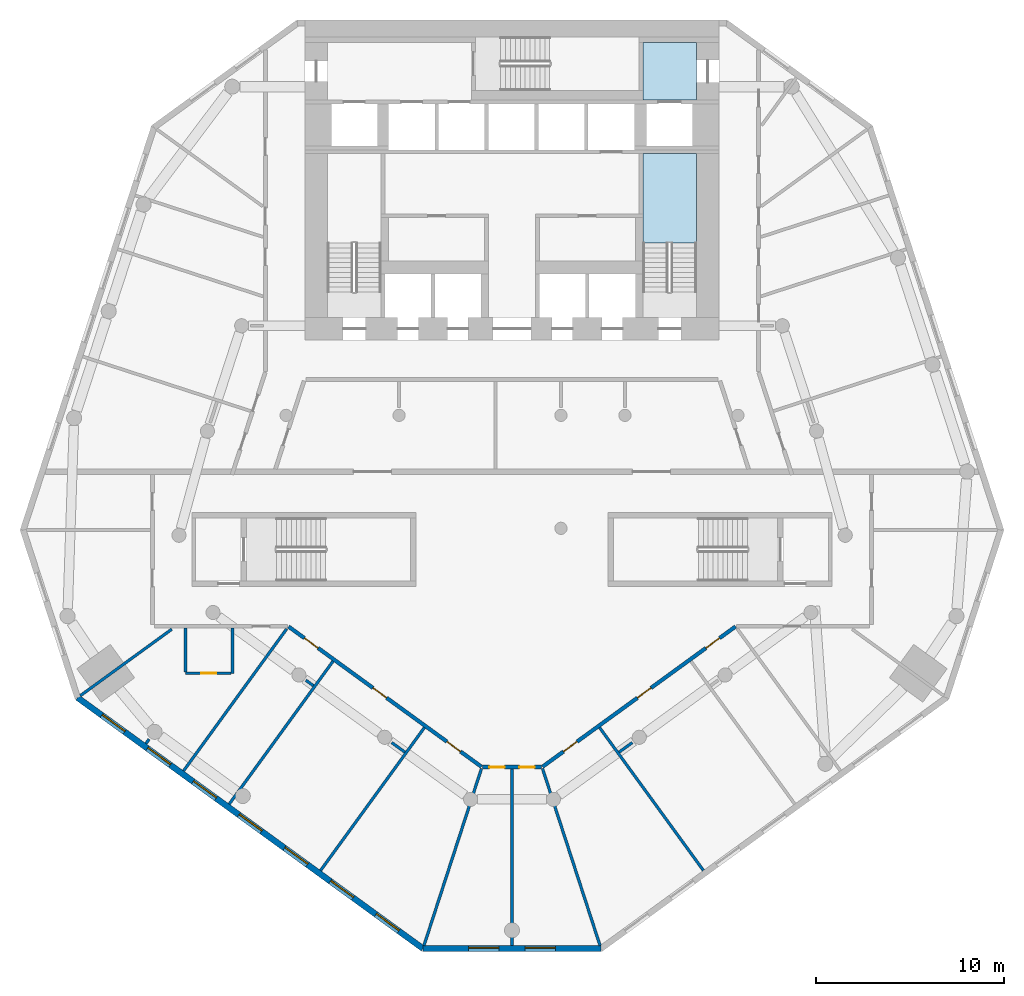
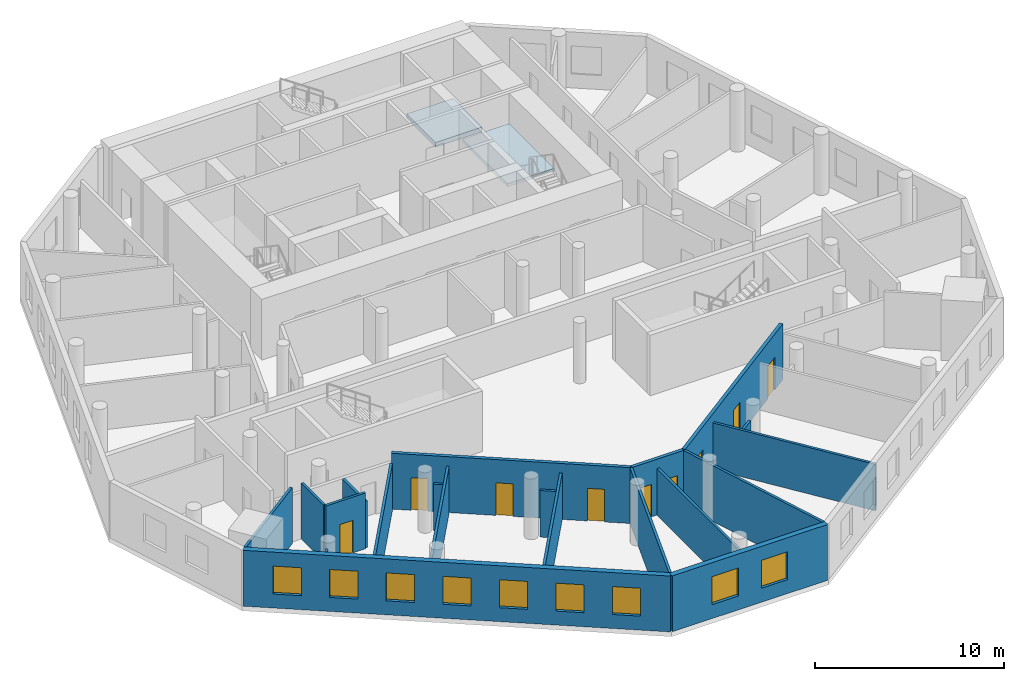
# One storey, part 2 of 9: 20 walls, 9 doors, 9 windows, 2 slabs, 18 openings, 1 element without a shape of its own.
"""IFC4 building model written with IfcOpenShell, lengths in metres."""

from ifc_helpers import new_model, si_unit, direction, frame, frame_2d, origin, place, context, subcontext, project, spatial, polyline, rectangle, outline, extrude, material, layer, layer_set, type_object, element, fill, aggregate, save


model = new_model("IFC4")

# Units and contexts
model_context = context("Model", 3, precision=1e-05, world=origin(), true_north=direction((0.0, 1.0)))
body_context = subcontext(model_context, "Body", "Model", "MODEL_VIEW")
ifc_project = project(units=[si_unit("LENGTHUNIT", "METRE"), si_unit("AREAUNIT", "SQUARE_METRE"), si_unit("VOLUMEUNIT", "CUBIC_METRE"), si_unit("PLANEANGLEUNIT", "RADIAN"), si_unit("MASSUNIT", "GRAM", prefix="KILO")], contexts=[model_context])

# Site, building, storey
site_placement = place(None, origin())
site = spatial("IfcSite", under=ifc_project, at=site_placement, CompositionType="ELEMENT")
building_placement = place(site_placement, origin())
building = spatial("IfcBuilding", under=site, at=building_placement, Name="White Candle Pilgrim Tower", CompositionType="ELEMENT")
storey_placement = place(building_placement, frame((0.0, 0.0, 74.10009765625)))
storey = spatial("IfcBuildingStorey", under=building, at=storey_placement, Name="L15", CompositionType="ELEMENT", Elevation=74.10009765625)

# Slab
ifc_material_1 = material(Name="Concrete C40/50", Category="concrete")
ifc_layer_1 = layer(ifc_material_1, 0.300048828125)
ifc_layer_set_1 = layer_set([ifc_layer_1], Name="Core floor slab 300 mm Concrete C40/50")
slab_type_1 = type_object("IfcSlabType", Name="Core floor slab 300 mm Concrete C40/50", PredefinedType="FLOOR", material=ifc_layer_set_1)
slab_1_placement = place(storey_placement, frame((0.0, 0.0, -0.300048828125)))
element("IfcSlab", 1, at=slab_1_placement, inside=storey, type_object=slab_type_1, Name="CF-L15-06", PredefinedType="FLOOR", context=body_context, shape_type="SweptSolid", body=[
    extrude(outline(polyline([(79.800048828125, 86.800048828125), (79.800048828125, 83.75), (76.949951171875, 83.75), (76.949951171875, 84.25), (76.949951171875, 86.800048828125), (79.800048828125, 86.800048828125)])), origin(), (0.0, 0.0, 1.0), 0.300048828125),
])

# Stair, slab
stair_type = type_object("IfcStairType", Name="Exit stair 2 flight width 1350 mm", PredefinedType="HALF_TURN_STAIR", material=ifc_material_1)
stair_placement = place(storey_placement, origin())
stair = element("IfcStair", 2, at=stair_placement, inside=storey, type_object=stair_type, Name="L15 stair 2", PredefinedType="NOTDEFINED")
ifc_layer_2 = layer(ifc_material_1, 0.199951171875)
ifc_layer_set_2 = layer_set([ifc_layer_2], Name="Stair landing Concrete C40/50")
slab_type_2 = type_object("IfcSlabType", Name="Stair landing Concrete C40/50", PredefinedType="LANDING", material=ifc_layer_set_2)
slab_2_placement = place(storey_placement, frame((0.0, 0.0, 1.75)))
slab_2 = element("IfcSlab", 3, at=slab_2_placement, type_object=slab_type_2, Name="ST2 landing 1", PredefinedType="LANDING", context=body_context, shape_type="SweptSolid", body=[
    extrude(outline(polyline([(79.802001953125, 76.14794921875), (76.947998046875, 76.14794921875), (76.947998046875, 80.902099609375), (79.802001953125, 80.902099609375), (79.802001953125, 76.14794921875)])), origin(), (0.0, 0.0, 1.0), 0.199951171875),
])
aggregate(stair, [slab_2])

# Wall, openings, doors
ifc_material_2 = material(Name="Gypsum board on steel studs", Category="steel")
ifc_layer_3 = layer(ifc_material_2, 0.199951171875)
ifc_layer_set_3 = layer_set([ifc_layer_3], Name="Corridor wall 200 mm EI 45")
wall_type_1 = type_object("IfcWallType", Name="Corridor wall 200 mm EI 45", PredefinedType="PARTITIONING", material=ifc_layer_set_3)
wall_1_placement = place(storey_placement, frame((81.87060546875, 55.781005859375, 0.0), z_axis=(0.0, 0.0, 1.0), x_axis=(-0.80902019439, -0.587780847825, 0.0)))
wall_1 = element("IfcWall", 4, at=wall_1_placement, inside=storey, type_object=wall_type_1, Name="WL-L15-P008", PredefinedType="PARTITIONING", context=body_context, shape_type="SweptSolid", body=[
    extrude(rectangle(XDim=12.667236328125, YDim=0.199951171875, at=frame_2d((6.33349609375, 0.0))), origin(), (0.0, 0.0, 1.0), 3.599853515625),
])
opening_1_placement = place(wall_1_placement, frame((10.396484375, 0.0, 0.0)))
opening_1 = element("IfcOpeningElement", 5, at=opening_1_placement, cuts=wall_1, Name="Opening T04-109", PredefinedType="OPENING", context=body_context, shape_type="SweptSolid", body=[
    extrude(rectangle(XDim=0.89990234375, YDim=2.10009765625, at=frame_2d((0.449951171875, 1.050048828125))), frame((0.0, 0.10986328125, 0.0), z_axis=(0.0, -1.0, 0.0), x_axis=(1.0, 0.0, 0.0)), (0.0, 0.0, 1.0), 0.219970703125),
])
opening_2_placement = place(wall_1_placement, frame((5.543701171875, 0.0, 0.0)))
opening_2 = element("IfcOpeningElement", 6, at=opening_2_placement, cuts=wall_1, Name="Opening T04-110", PredefinedType="OPENING", context=body_context, shape_type="SweptSolid", body=[
    extrude(rectangle(XDim=0.89990234375, YDim=2.10009765625, at=frame_2d((0.449951171875, 1.050048828125))), frame((0.0, 0.10986328125, 0.0), z_axis=(0.0, -1.0, 0.0), x_axis=(1.0, 0.0, 0.0)), (0.0, 0.0, 1.0), 0.219970703125),
])
opening_3_placement = place(wall_1_placement, frame((1.043701171875, 0.0, 0.0)))
opening_3 = element("IfcOpeningElement", 7, at=opening_3_placement, cuts=wall_1, Name="Opening T04-111", PredefinedType="OPENING", context=body_context, shape_type="SweptSolid", body=[
    extrude(rectangle(XDim=0.89990234375, YDim=2.10009765625, at=frame_2d((0.449951171875, 1.050048828125))), frame((0.0, 0.10986328125, 0.0), z_axis=(0.0, -1.0, 0.0), x_axis=(1.0, 0.0, 0.0)), (0.0, 0.0, 1.0), 0.219970703125),
])
ifc_material_3 = material(Name="Steel door leaf", Category="steel")
door_type_1 = type_object("IfcDoorType", Name="Fire door 900 x 2100 EI 30", OperationType="NOTDEFINED", PredefinedType="DOOR", material=ifc_material_3)
door_1_placement = place(opening_1_placement, origin())
door_1 = element("IfcDoor", 8, at=door_1_placement, inside=storey, type_object=door_type_1, Name="Door T04-109", OperationType="SINGLE_SWING_LEFT", OverallHeight=2.10009765625, OverallWidth=0.89990234375, PredefinedType="DOOR", context=body_context, shape_type="SweptSolid", body=[
    extrude(rectangle(XDim=0.89990234375, YDim=2.10009765625, at=frame_2d((0.449951171875, 1.050048828125))), frame((0.0, 0.02490234375, 0.0), z_axis=(0.0, -1.0, 0.0), x_axis=(1.0, 0.0, 0.0)), (0.0, 0.0, 1.0), 0.050048828125),
])
fill(opening_1, door_1)
door_2_placement = place(opening_2_placement, origin())
door_2 = element("IfcDoor", 9, at=door_2_placement, inside=storey, type_object=door_type_1, Name="Door T04-110", OperationType="SINGLE_SWING_RIGHT", OverallHeight=2.10009765625, OverallWidth=0.89990234375, PredefinedType="DOOR", context=body_context, shape_type="SweptSolid", body=[
    extrude(rectangle(XDim=0.89990234375, YDim=2.10009765625, at=frame_2d((0.449951171875, 1.050048828125))), frame((0.0, 0.02490234375, 0.0), z_axis=(0.0, -1.0, 0.0), x_axis=(1.0, 0.0, 0.0)), (0.0, 0.0, 1.0), 0.050048828125),
])
fill(opening_2, door_2)
door_3_placement = place(opening_3_placement, origin())
door_3 = element("IfcDoor", 10, at=door_3_placement, inside=storey, type_object=door_type_1, Name="Door T04-111", OperationType="SINGLE_SWING_LEFT", OverallHeight=2.10009765625, OverallWidth=0.89990234375, PredefinedType="DOOR", context=body_context, shape_type="SweptSolid", body=[
    extrude(rectangle(XDim=0.89990234375, YDim=2.10009765625, at=frame_2d((0.449951171875, 1.050048828125))), frame((0.0, 0.02490234375, 0.0), z_axis=(0.0, -1.0, 0.0), x_axis=(1.0, 0.0, 0.0)), (0.0, 0.0, 1.0), 0.050048828125),
])
fill(opening_3, door_3)

wall_2_placement = place(storey_placement, frame((71.563720703125, 48.31640625, 0.0), z_axis=(0.0, 0.0, 1.0), x_axis=(-1.0, 0.0, 0.0)))
wall_2 = element("IfcWall", 11, at=wall_2_placement, inside=storey, type_object=wall_type_1, Name="WL-L15-P009", PredefinedType="PARTITIONING", context=body_context, shape_type="SweptSolid", body=[
    extrude(rectangle(XDim=3.12744140625, YDim=0.199951171875, at=frame_2d((1.563720703125, 0.0))), origin(), (0.0, 0.0, 1.0), 3.599853515625),
])
opening_4_placement = place(wall_2_placement, frame((1.9619140625, 0.0, 0.0)))
opening_4 = element("IfcOpeningElement", 12, at=opening_4_placement, cuts=wall_2, Name="Opening T04-107", PredefinedType="OPENING", context=body_context, shape_type="SweptSolid", body=[
    extrude(rectangle(XDim=0.800048828125, YDim=2.10009765625, at=frame_2d((0.39990234375, 1.050048828125))), frame((0.0, 0.10986328125, 0.0), z_axis=(0.0, -1.0, 0.0), x_axis=(1.0, 0.0, 0.0)), (0.0, 0.0, 1.0), 0.219970703125),
])
opening_5_placement = place(wall_2_placement, frame((0.365478515625, 0.0, 0.0)))
opening_5 = element("IfcOpeningElement", 13, at=opening_5_placement, cuts=wall_2, Name="Opening T04-108", PredefinedType="OPENING", context=body_context, shape_type="SweptSolid", body=[
    extrude(rectangle(XDim=0.800048828125, YDim=2.10009765625, at=frame_2d((0.39990234375, 1.050048828125))), frame((0.0, 0.10986328125, 0.0), z_axis=(0.0, -1.0, 0.0), x_axis=(1.0, 0.0, 0.0)), (0.0, 0.0, 1.0), 0.219970703125),
])
door_type_2 = type_object("IfcDoorType", Name="Fire door 800 x 2100 EI 30", OperationType="NOTDEFINED", PredefinedType="DOOR", material=ifc_material_3)
door_4_placement = place(opening_4_placement, origin())
door_4 = element("IfcDoor", 14, at=door_4_placement, inside=storey, type_object=door_type_2, Name="Door T04-107", OperationType="SINGLE_SWING_LEFT", OverallHeight=2.10009765625, OverallWidth=0.800048828125, PredefinedType="DOOR", context=body_context, shape_type="SweptSolid", body=[
    extrude(rectangle(XDim=0.800048828125, YDim=2.10009765625, at=frame_2d((0.39990234375, 1.050048828125))), frame((0.0, 0.02490234375, 0.0), z_axis=(0.0, -1.0, 0.0), x_axis=(1.0, 0.0, 0.0)), (0.0, 0.0, 1.0), 0.050048828125),
])
fill(opening_4, door_4)
door_5_placement = place(opening_5_placement, origin())
door_5 = element("IfcDoor", 15, at=door_5_placement, inside=storey, type_object=door_type_2, Name="Door T04-108", OperationType="SINGLE_SWING_RIGHT", OverallHeight=2.10009765625, OverallWidth=0.800048828125, PredefinedType="DOOR", context=body_context, shape_type="SweptSolid", body=[
    extrude(rectangle(XDim=0.800048828125, YDim=2.10009765625, at=frame_2d((0.39990234375, 1.050048828125))), frame((0.0, 0.02490234375, 0.0), z_axis=(0.0, -1.0, 0.0), x_axis=(1.0, 0.0, 0.0)), (0.0, 0.0, 1.0), 0.050048828125),
])
fill(opening_5, door_5)

wall_3_placement = place(storey_placement, frame((68.37744140625, 48.33544921875, 0.0), z_axis=(0.0, 0.0, 1.0), x_axis=(-0.80902019439, 0.587780847825, 0.0)))
wall_3 = element("IfcWall", 16, at=wall_3_placement, inside=storey, type_object=wall_type_1, Name="WL-L15-P010", PredefinedType="PARTITIONING", context=body_context, shape_type="SweptSolid", body=[
    extrude(rectangle(XDim=12.667236328125, YDim=0.199951171875, at=frame_2d((6.33349609375, 0.0))), origin(), (0.0, 0.0, 1.0), 3.599853515625),
])
opening_6_placement = place(wall_3_placement, frame((10.723388671875, 0.0, 0.0)))
opening_6 = element("IfcOpeningElement", 17, at=opening_6_placement, cuts=wall_3, Name="Opening T04-104", PredefinedType="OPENING", context=body_context, shape_type="SweptSolid", body=[
    extrude(rectangle(XDim=0.89990234375, YDim=2.10009765625, at=frame_2d((0.449951171875, 1.050048828125))), frame((0.0, 0.10986328125, 0.0), z_axis=(0.0, -1.0, 0.0), x_axis=(1.0, 0.0, 0.0)), (0.0, 0.0, 1.0), 0.219970703125),
])
opening_7_placement = place(wall_3_placement, frame((6.223388671875, 0.0, 0.0)))
opening_7 = element("IfcOpeningElement", 18, at=opening_7_placement, cuts=wall_3, Name="Opening T04-105", PredefinedType="OPENING", context=body_context, shape_type="SweptSolid", body=[
    extrude(rectangle(XDim=0.89990234375, YDim=2.10009765625, at=frame_2d((0.449951171875, 1.050048828125))), frame((0.0, 0.10986328125, 0.0), z_axis=(0.0, -1.0, 0.0), x_axis=(1.0, 0.0, 0.0)), (0.0, 0.0, 1.0), 0.219970703125),
])
opening_8_placement = place(wall_3_placement, frame((1.37060546875, 0.0, 0.0)))
opening_8 = element("IfcOpeningElement", 19, at=opening_8_placement, cuts=wall_3, Name="Opening T04-106", PredefinedType="OPENING", context=body_context, shape_type="SweptSolid", body=[
    extrude(rectangle(XDim=0.89990234375, YDim=2.10009765625, at=frame_2d((0.449951171875, 1.050048828125))), frame((0.0, 0.10986328125, 0.0), z_axis=(0.0, -1.0, 0.0), x_axis=(1.0, 0.0, 0.0)), (0.0, 0.0, 1.0), 0.219970703125),
])
door_6_placement = place(opening_6_placement, origin())
door_6 = element("IfcDoor", 20, at=door_6_placement, inside=storey, type_object=door_type_1, Name="Door T04-104", OperationType="SINGLE_SWING_RIGHT", OverallHeight=2.10009765625, OverallWidth=0.89990234375, PredefinedType="DOOR", context=body_context, shape_type="SweptSolid", body=[
    extrude(rectangle(XDim=0.89990234375, YDim=2.10009765625, at=frame_2d((0.449951171875, 1.050048828125))), frame((0.0, 0.02490234375, 0.0), z_axis=(0.0, -1.0, 0.0), x_axis=(1.0, 0.0, 0.0)), (0.0, 0.0, 1.0), 0.050048828125),
])
fill(opening_6, door_6)
door_7_placement = place(opening_7_placement, origin())
door_7 = element("IfcDoor", 21, at=door_7_placement, inside=storey, type_object=door_type_1, Name="Door T04-105", OperationType="SINGLE_SWING_LEFT", OverallHeight=2.10009765625, OverallWidth=0.89990234375, PredefinedType="DOOR", context=body_context, shape_type="SweptSolid", body=[
    extrude(rectangle(XDim=0.89990234375, YDim=2.10009765625, at=frame_2d((0.449951171875, 1.050048828125))), frame((0.0, 0.02490234375, 0.0), z_axis=(0.0, -1.0, 0.0), x_axis=(1.0, 0.0, 0.0)), (0.0, 0.0, 1.0), 0.050048828125),
])
fill(opening_7, door_7)
door_8_placement = place(opening_8_placement, origin())
door_8 = element("IfcDoor", 22, at=door_8_placement, inside=storey, type_object=door_type_1, Name="Door T04-106", OperationType="SINGLE_SWING_RIGHT", OverallHeight=2.10009765625, OverallWidth=0.89990234375, PredefinedType="DOOR", context=body_context, shape_type="SweptSolid", body=[
    extrude(rectangle(XDim=0.89990234375, YDim=2.10009765625, at=frame_2d((0.449951171875, 1.050048828125))), frame((0.0, 0.02490234375, 0.0), z_axis=(0.0, -1.0, 0.0), x_axis=(1.0, 0.0, 0.0)), (0.0, 0.0, 1.0), 0.050048828125),
])
fill(opening_8, door_8)

# Wall, openings, windows
ifc_material_4 = material(Name="Precast concrete C40/50", Category="concrete")
ifc_layer_4 = layer(ifc_material_4, 0.320068359375)
ifc_layer_set_4 = layer_set([ifc_layer_4], Name="Facade wall EW1 precast concrete C40/50 pier wall with timber-lined reveals")
wall_type_2 = type_object("IfcWallType", Name="Facade wall EW1 precast concrete C40/50 pier wall with timber-lined reveals", PredefinedType="SOLIDWALL", material=ifc_layer_set_4)
wall_4_placement = place(storey_placement, frame((46.926025390625, 52.005126953125, 0.0), z_axis=(0.0, 0.0, 1.0), x_axis=(0.809014870626, -0.58778817537, 0.0)))
wall_4 = element("IfcWall", 23, at=wall_4_placement, inside=storey, type_object=wall_type_2, Name="Facade wall L15 SW", PredefinedType="SOLIDWALL", context=body_context, shape_type="SweptSolid", body=[
    extrude(rectangle(XDim=22.67626953125, YDim=0.320068359375, at=frame_2d((11.338134765625, 0.0))), origin(), (0.0, 0.0, 1.0), 3.599853515625),
])
opening_9_placement = place(wall_4_placement, frame((1.588134765625, 0.0, 0.89990234375)))
opening_9 = element("IfcOpeningElement", 24, at=opening_9_placement, cuts=wall_4, Name="Opening W1", PredefinedType="OPENING", context=body_context, shape_type="SweptSolid", body=[
    extrude(rectangle(XDim=1.5, YDim=1.800048828125, at=frame_2d((0.75, 0.89990234375))), frame((0.0, 0.169921875, 0.0), z_axis=(0.0, -1.0, 0.0), x_axis=(1.0, 0.0, 0.0)), (0.0, 0.0, 1.0), 0.340087890625),
])
opening_10_placement = place(wall_4_placement, frame((4.588134765625, 0.0, 0.89990234375)))
opening_10 = element("IfcOpeningElement", 25, at=opening_10_placement, cuts=wall_4, Name="Opening W1", PredefinedType="OPENING", context=body_context, shape_type="SweptSolid", body=[
    extrude(rectangle(XDim=1.5, YDim=1.800048828125, at=frame_2d((0.75, 0.89990234375))), frame((0.0, 0.169921875, 0.0), z_axis=(0.0, -1.0, 0.0), x_axis=(1.0, 0.0, 0.0)), (0.0, 0.0, 1.0), 0.340087890625),
])
opening_11_placement = place(wall_4_placement, frame((7.588134765625, 0.0, 0.89990234375)))
opening_11 = element("IfcOpeningElement", 26, at=opening_11_placement, cuts=wall_4, Name="Opening W1", PredefinedType="OPENING", context=body_context, shape_type="SweptSolid", body=[
    extrude(rectangle(XDim=1.5, YDim=1.800048828125, at=frame_2d((0.75, 0.89990234375))), frame((0.0, 0.169921875, 0.0), z_axis=(0.0, -1.0, 0.0), x_axis=(1.0, 0.0, 0.0)), (0.0, 0.0, 1.0), 0.340087890625),
])
opening_12_placement = place(wall_4_placement, frame((10.588134765625, 0.0, 0.89990234375)))
opening_12 = element("IfcOpeningElement", 27, at=opening_12_placement, cuts=wall_4, Name="Opening W1", PredefinedType="OPENING", context=body_context, shape_type="SweptSolid", body=[
    extrude(rectangle(XDim=1.5, YDim=1.800048828125, at=frame_2d((0.75, 0.89990234375))), frame((0.0, 0.169921875, 0.0), z_axis=(0.0, -1.0, 0.0), x_axis=(1.0, 0.0, 0.0)), (0.0, 0.0, 1.0), 0.340087890625),
])
opening_13_placement = place(wall_4_placement, frame((13.588134765625, 0.0, 0.89990234375)))
opening_13 = element("IfcOpeningElement", 28, at=opening_13_placement, cuts=wall_4, Name="Opening W1", PredefinedType="OPENING", context=body_context, shape_type="SweptSolid", body=[
    extrude(rectangle(XDim=1.5, YDim=1.800048828125, at=frame_2d((0.75, 0.89990234375))), frame((0.0, 0.169921875, 0.0), z_axis=(0.0, -1.0, 0.0), x_axis=(1.0, 0.0, 0.0)), (0.0, 0.0, 1.0), 0.340087890625),
])
opening_14_placement = place(wall_4_placement, frame((16.588134765625, 0.0, 0.89990234375)))
opening_14 = element("IfcOpeningElement", 29, at=opening_14_placement, cuts=wall_4, Name="Opening W1", PredefinedType="OPENING", context=body_context, shape_type="SweptSolid", body=[
    extrude(rectangle(XDim=1.5, YDim=1.800048828125, at=frame_2d((0.75, 0.89990234375))), frame((0.0, 0.169921875, 0.0), z_axis=(0.0, -1.0, 0.0), x_axis=(1.0, 0.0, 0.0)), (0.0, 0.0, 1.0), 0.340087890625),
])
opening_15_placement = place(wall_4_placement, frame((19.588134765625, 0.0, 0.89990234375)))
opening_15 = element("IfcOpeningElement", 30, at=opening_15_placement, cuts=wall_4, Name="Opening W1", PredefinedType="OPENING", context=body_context, shape_type="SweptSolid", body=[
    extrude(rectangle(XDim=1.5, YDim=1.800048828125, at=frame_2d((0.75, 0.89990234375))), frame((0.0, 0.169921875, 0.0), z_axis=(0.0, -1.0, 0.0), x_axis=(1.0, 0.0, 0.0)), (0.0, 0.0, 1.0), 0.340087890625),
])
ifc_material_5 = material(Name="Timber frame with triple glazing", Category="wood")
window_type_1 = type_object("IfcWindowType", Name="Window W1 1500x1800 timber frame triple glazing", PartitioningType="SINGLE_PANEL", PredefinedType="WINDOW", material=ifc_material_5)
window_1_placement = place(opening_9_placement, origin())
window_1 = element("IfcWindow", 31, at=window_1_placement, inside=storey, type_object=window_type_1, Name="Window W1 L15 SW 1", OverallHeight=1.800048828125, OverallWidth=1.5, PartitioningType="SINGLE_PANEL", PredefinedType="WINDOW", context=body_context, shape_type="SweptSolid", body=[
    extrude(rectangle(XDim=1.5, YDim=1.800048828125, at=frame_2d((0.75, 0.89990234375))), frame((0.0, 0.070068359375, 0.0), z_axis=(0.0, -1.0, 0.0), x_axis=(1.0, 0.0, 0.0)), (0.0, 0.0, 1.0), 0.06005859375),
])
fill(opening_9, window_1)
window_2_placement = place(opening_10_placement, origin())
window_2 = element("IfcWindow", 32, at=window_2_placement, inside=storey, type_object=window_type_1, Name="Window W1 L15 SW 2", OverallHeight=1.800048828125, OverallWidth=1.5, PartitioningType="SINGLE_PANEL", PredefinedType="WINDOW", context=body_context, shape_type="SweptSolid", body=[
    extrude(rectangle(XDim=1.5, YDim=1.800048828125, at=frame_2d((0.75, 0.89990234375))), frame((0.0, 0.070068359375, 0.0), z_axis=(0.0, -1.0, 0.0), x_axis=(1.0, 0.0, 0.0)), (0.0, 0.0, 1.0), 0.06005859375),
])
fill(opening_10, window_2)
window_3_placement = place(opening_11_placement, origin())
window_3 = element("IfcWindow", 33, at=window_3_placement, inside=storey, type_object=window_type_1, Name="Window W1 L15 SW 3", OverallHeight=1.800048828125, OverallWidth=1.5, PartitioningType="SINGLE_PANEL", PredefinedType="WINDOW", context=body_context, shape_type="SweptSolid", body=[
    extrude(rectangle(XDim=1.5, YDim=1.800048828125, at=frame_2d((0.75, 0.89990234375))), frame((0.0, 0.070068359375, 0.0), z_axis=(0.0, -1.0, 0.0), x_axis=(1.0, 0.0, 0.0)), (0.0, 0.0, 1.0), 0.06005859375),
])
fill(opening_11, window_3)
window_4_placement = place(opening_12_placement, origin())
window_4 = element("IfcWindow", 34, at=window_4_placement, inside=storey, type_object=window_type_1, Name="Window W1 L15 SW 4", OverallHeight=1.800048828125, OverallWidth=1.5, PartitioningType="SINGLE_PANEL", PredefinedType="WINDOW", context=body_context, shape_type="SweptSolid", body=[
    extrude(rectangle(XDim=1.5, YDim=1.800048828125, at=frame_2d((0.75, 0.89990234375))), frame((0.0, 0.070068359375, 0.0), z_axis=(0.0, -1.0, 0.0), x_axis=(1.0, 0.0, 0.0)), (0.0, 0.0, 1.0), 0.06005859375),
])
fill(opening_12, window_4)
window_5_placement = place(opening_13_placement, origin())
window_5 = element("IfcWindow", 35, at=window_5_placement, inside=storey, type_object=window_type_1, Name="Window W1 L15 SW 5", OverallHeight=1.800048828125, OverallWidth=1.5, PartitioningType="SINGLE_PANEL", PredefinedType="WINDOW", context=body_context, shape_type="SweptSolid", body=[
    extrude(rectangle(XDim=1.5, YDim=1.800048828125, at=frame_2d((0.75, 0.89990234375))), frame((0.0, 0.070068359375, 0.0), z_axis=(0.0, -1.0, 0.0), x_axis=(1.0, 0.0, 0.0)), (0.0, 0.0, 1.0), 0.06005859375),
])
fill(opening_13, window_5)
window_6_placement = place(opening_14_placement, origin())
window_6 = element("IfcWindow", 36, at=window_6_placement, inside=storey, type_object=window_type_1, Name="Window W1 L15 SW 6", OverallHeight=1.800048828125, OverallWidth=1.5, PartitioningType="SINGLE_PANEL", PredefinedType="WINDOW", context=body_context, shape_type="SweptSolid", body=[
    extrude(rectangle(XDim=1.5, YDim=1.800048828125, at=frame_2d((0.75, 0.89990234375))), frame((0.0, 0.070068359375, 0.0), z_axis=(0.0, -1.0, 0.0), x_axis=(1.0, 0.0, 0.0)), (0.0, 0.0, 1.0), 0.06005859375),
])
fill(opening_14, window_6)
window_7_placement = place(opening_15_placement, origin())
window_7 = element("IfcWindow", 37, at=window_7_placement, inside=storey, type_object=window_type_1, Name="Window W1 L15 SW 7", OverallHeight=1.800048828125, OverallWidth=1.5, PartitioningType="SINGLE_PANEL", PredefinedType="WINDOW", context=body_context, shape_type="SweptSolid", body=[
    extrude(rectangle(XDim=1.5, YDim=1.800048828125, at=frame_2d((0.75, 0.89990234375))), frame((0.0, 0.070068359375, 0.0), z_axis=(0.0, -1.0, 0.0), x_axis=(1.0, 0.0, 0.0)), (0.0, 0.0, 1.0), 0.06005859375),
])
fill(opening_15, window_7)

wall_5_placement = place(storey_placement, frame((65.271484375, 38.67626953125, 0.0), z_axis=(0.0, 0.0, 1.0), x_axis=(1.0, 0.0, 0.0)))
wall_5 = element("IfcWall", 38, at=wall_5_placement, inside=storey, type_object=wall_type_2, Name="Facade wall L15 S chamfer", PredefinedType="SOLIDWALL", context=body_context, shape_type="SweptSolid", body=[
    extrude(rectangle(XDim=9.45703125, YDim=0.320068359375, at=frame_2d((4.728515625, 0.0))), origin(), (0.0, 0.0, 1.0), 3.599853515625),
])
opening_16_placement = place(wall_5_placement, frame((2.4287109375, 0.0, 0.89990234375)))
opening_16 = element("IfcOpeningElement", 39, at=opening_16_placement, cuts=wall_5, Name="Opening W2", PredefinedType="OPENING", context=body_context, shape_type="SweptSolid", body=[
    extrude(rectangle(XDim=1.60009765625, YDim=1.800048828125, at=frame_2d((0.800048828125, 0.89990234375))), frame((0.0, 0.169921875, 0.0), z_axis=(0.0, -1.0, 0.0), x_axis=(1.0, 0.0, 0.0)), (0.0, 0.0, 1.0), 0.340087890625),
])
opening_17_placement = place(wall_5_placement, frame((5.4287109375, 0.0, 0.89990234375)))
opening_17 = element("IfcOpeningElement", 40, at=opening_17_placement, cuts=wall_5, Name="Opening W2", PredefinedType="OPENING", context=body_context, shape_type="SweptSolid", body=[
    extrude(rectangle(XDim=1.60009765625, YDim=1.800048828125, at=frame_2d((0.800048828125, 0.89990234375))), frame((0.0, 0.169921875, 0.0), z_axis=(0.0, -1.0, 0.0), x_axis=(1.0, 0.0, 0.0)), (0.0, 0.0, 1.0), 0.340087890625),
])
window_type_2 = type_object("IfcWindowType", Name="Window W2 1600x1800 timber frame triple glazing", PartitioningType="SINGLE_PANEL", PredefinedType="WINDOW", material=ifc_material_5)
window_8_placement = place(opening_16_placement, origin())
window_8 = element("IfcWindow", 41, at=window_8_placement, inside=storey, type_object=window_type_2, Name="Window W2 L15 S chamfer 1", OverallHeight=1.800048828125, OverallWidth=1.60009765625, PartitioningType="SINGLE_PANEL", PredefinedType="WINDOW", context=body_context, shape_type="SweptSolid", body=[
    extrude(rectangle(XDim=1.60009765625, YDim=1.800048828125, at=frame_2d((0.800048828125, 0.89990234375))), frame((0.0, 0.070068359375, 0.0), z_axis=(0.0, -1.0, 0.0), x_axis=(1.0, 0.0, 0.0)), (0.0, 0.0, 1.0), 0.06005859375),
])
fill(opening_16, window_8)
window_9_placement = place(opening_17_placement, origin())
window_9 = element("IfcWindow", 42, at=window_9_placement, inside=storey, type_object=window_type_2, Name="Window W2 L15 S chamfer 2", OverallHeight=1.800048828125, OverallWidth=1.60009765625, PartitioningType="SINGLE_PANEL", PredefinedType="WINDOW", context=body_context, shape_type="SweptSolid", body=[
    extrude(rectangle(XDim=1.60009765625, YDim=1.800048828125, at=frame_2d((0.800048828125, 0.89990234375))), frame((0.0, 0.070068359375, 0.0), z_axis=(0.0, -1.0, 0.0), x_axis=(1.0, 0.0, 0.0)), (0.0, 0.0, 1.0), 0.06005859375),
])
fill(opening_17, window_9)

# Walls
ifc_layer_5 = layer(ifc_material_2, 0.14990234375)
ifc_layer_set_5 = layer_set([ifc_layer_5], Name="Partition 150 mm EI 60")
wall_type_3 = type_object("IfcWallType", Name="Partition 150 mm EI 60", PredefinedType="PARTITIONING", material=ifc_layer_set_5)
wall_6_placement = place(storey_placement, frame((47.06201171875, 52.10400390625, 0.0), z_axis=(0.0, 0.0, 1.0), x_axis=(0.809025596287, 0.587773412594, 0.0)))
element("IfcWall", 43, at=wall_6_placement, inside=storey, type_object=wall_type_3, Name="WL-L15-P018", PredefinedType="PARTITIONING", context=body_context, shape_type="SweptSolid", body=[
    extrude(rectangle(XDim=6.014892578125, YDim=0.14990234375, at=frame_2d((3.00732421875, 0.0))), origin(), (0.0, 0.0, 1.0), 3.599853515625),
])
for number, where, z_axis, x_axis, name in (
    (44, (65.323486328125, 38.836181640625, 0.0), (0.0, 0.0, 1.0), (0.309015131176, 0.951057121683, 0.0), "WL-L15-P019"),
    (45, (74.676513671875, 38.836181640625, 0.0), (0.0, 0.0, 1.0), (-0.309015131176, 0.951057121683, 0.0), "WL-L15-P020"),
):
    element("IfcWall", number, at=place(storey_placement, frame(where, z_axis=z_axis, x_axis=x_axis)), inside=storey, type_object=wall_type_3, Name=name, PredefinedType="PARTITIONING", context=body_context, shape_type="SweptSolid", body=[
        extrude(rectangle(XDim=9.8828125, YDim=0.14990234375, at=frame_2d((4.94140625, 0.0))), origin(), (0.0, 0.0, 1.0), 3.599853515625),
    ])
wall_7_placement = place(storey_placement, frame((52.55224609375, 48.114990234375, 0.0), z_axis=(0.0, 0.0, 1.0), x_axis=(0.587777613272, 0.809022544393, 0.0)))
element("IfcWall", 46, at=wall_7_placement, inside=storey, type_object=wall_type_3, Name="WL-L15-P027", PredefinedType="PARTITIONING", context=body_context, shape_type="SweptSolid", body=[
    extrude(rectangle(XDim=9.321044921875, YDim=0.14990234375, at=frame_2d((4.66064453125, 0.0))), origin(), (0.0, 0.0, 1.0), 3.0),
])
for number, where, z_axis, x_axis, name in (
    (47, (54.979248046875, 46.351806640625, 0.0), (0.0, 0.0, 1.0), (0.587795561305, 0.809009504339, 0.0), "WL-L15-P028"),
    (48, (59.833251953125, 42.8251953125, 0.0), (0.0, 0.0, 1.0), (0.587795561305, 0.809009504339, 0.0), "WL-L15-P029"),
):
    element("IfcWall", number, at=place(storey_placement, frame(where, z_axis=z_axis, x_axis=x_axis)), inside=storey, type_object=wall_type_3, Name=name, PredefinedType="PARTITIONING", context=body_context, shape_type="SweptSolid", body=[
        extrude(rectangle(XDim=9.3798828125, YDim=0.14990234375, at=frame_2d((4.68994140625, 0.0))), origin(), (0.0, 0.0, 1.0), 3.0),
    ])
wall_8_placement = place(storey_placement, frame((55.1494140625, 55.699951171875, 0.0), z_axis=(0.0, 0.0, 1.0), x_axis=(0.0, -1.0, 0.0)))
element("IfcWall", 49, at=wall_8_placement, inside=storey, type_object=wall_type_3, Name="WL-L15-P030", PredefinedType="PARTITIONING", context=body_context, shape_type="SweptSolid", body=[
    extrude(rectangle(XDim=2.39990234375, YDim=0.14990234375, at=frame_2d((1.199951171875, 0.0))), origin(), (0.0, 0.0, 1.0), 3.0),
])

# Wall, opening, door
wall_9_placement = place(storey_placement, frame((52.6494140625, 53.300048828125, 0.0), z_axis=(0.0, 0.0, 1.0), x_axis=(1.0, 0.0, 0.0)))
wall_9 = element("IfcWall", 50, at=wall_9_placement, inside=storey, type_object=wall_type_3, Name="WL-L15-P031", PredefinedType="PARTITIONING", context=body_context, shape_type="SweptSolid", body=[
    extrude(rectangle(XDim=2.425048828125, YDim=0.14990234375, at=frame_2d((1.21240234375, 0.0))), origin(), (0.0, 0.0, 1.0), 3.599853515625),
])
opening_18_placement = place(wall_9_placement, frame((0.85009765625, 0.0, 0.0)))
opening_18 = element("IfcOpeningElement", 51, at=opening_18_placement, cuts=wall_9, Name="Opening T04-102", PredefinedType="OPENING", context=body_context, shape_type="SweptSolid", body=[
    extrude(rectangle(XDim=0.800048828125, YDim=2.10009765625, at=frame_2d((0.39990234375, 1.050048828125))), frame((0.0, 0.0849609375, 0.0), z_axis=(0.0, -1.0, 0.0), x_axis=(1.0, 0.0, 0.0)), (0.0, 0.0, 1.0), 0.169921875),
])
door_9_placement = place(opening_18_placement, frame((0.800048828125, 0.0, 0.0), z_axis=(0.0, 0.0, 1.0), x_axis=(-1.0, 0.0, 0.0)))
door_9 = element("IfcDoor", 52, at=door_9_placement, inside=storey, type_object=door_type_2, Name="Door T04-102", OperationType="SINGLE_SWING_LEFT", OverallHeight=2.10009765625, OverallWidth=0.800048828125, PredefinedType="DOOR", context=body_context, shape_type="SweptSolid", body=[
    extrude(rectangle(XDim=0.800048828125, YDim=2.10009765625, at=frame_2d((0.39990234375, 1.050048828125))), frame((0.0, 0.02490234375, 0.0), z_axis=(0.0, -1.0, 0.0), x_axis=(1.0, 0.0, 0.0)), (0.0, 0.0, 1.0), 0.050048828125),
])
fill(opening_18, door_9)

# Walls
wall_10_placement = place(storey_placement, frame((52.6494140625, 55.699951171875, 0.0), z_axis=(0.0, 0.0, 1.0), x_axis=(0.0, -1.0, 0.0)))
element("IfcWall", 53, at=wall_10_placement, inside=storey, type_object=wall_type_3, Name="WL-L15-P032", PredefinedType="PARTITIONING", context=body_context, shape_type="SweptSolid", body=[
    extrude(rectangle(XDim=2.324951171875, YDim=0.14990234375, at=frame_2d((1.16259765625, 0.0))), origin(), (0.0, 0.0, 1.0), 3.599853515625),
])
wall_11_placement = place(storey_placement, frame((70.0, 38.836181640625, 0.0), z_axis=(0.0, 0.0, 1.0), x_axis=(0.0, 1.0, 0.0)))
element("IfcWall", 54, at=wall_11_placement, inside=storey, type_object=wall_type_3, Name="WL-L15-P033", PredefinedType="PARTITIONING", context=body_context, shape_type="SweptSolid", body=[
    extrude(rectangle(XDim=9.380126953125, YDim=0.14990234375, at=frame_2d((4.68994140625, 0.0))), origin(), (0.0, 0.0, 1.0), 3.0),
])
wall_12_placement = place(storey_placement, frame((80.166748046875, 42.8251953125, 0.0), z_axis=(0.0, 0.0, 1.0), x_axis=(-0.587795561305, 0.809009504339, 0.0)))
element("IfcWall", 55, at=wall_12_placement, inside=storey, type_object=wall_type_3, Name="WL-L15-P034", PredefinedType="PARTITIONING", context=body_context, shape_type="SweptSolid", body=[
    extrude(rectangle(XDim=9.3798828125, YDim=0.14990234375, at=frame_2d((4.68994140625, 0.0))), origin(), (0.0, 0.0, 1.0), 3.0),
])
wall_13_placement = place(storey_placement, frame((50.72412109375, 49.799560546875, 0.0), z_axis=(0.0, 0.0, 1.0), x_axis=(-0.587869457187, -0.808955809242, 0.0)))
element("IfcWall", 56, at=wall_13_placement, inside=storey, type_object=wall_type_3, Name="WL-L15-P042", PredefinedType="PARTITIONING", context=body_context, shape_type="SweptSolid", body=[
    extrude(rectangle(XDim=0.288330078125, YDim=0.14990234375, at=frame_2d((0.14404296875, 0.0))), origin(), (0.0, 0.0, 1.0), 3.599853515625),
])
wall_14_placement = place(storey_placement, frame((59.050537109375, 52.92919921875, 0.0), z_axis=(0.0, 0.0, 1.0), x_axis=(0.809096851656, -0.587675322471, 0.0)))
element("IfcWall", 57, at=wall_14_placement, inside=storey, type_object=wall_type_3, Name="WL-L15-P043", PredefinedType="PARTITIONING", context=body_context, shape_type="SweptSolid", body=[
    extrude(rectangle(XDim=0.497314453125, YDim=0.14990234375, at=frame_2d((0.24853515625, 0.0))), origin(), (0.0, 0.0, 1.0), 3.0),
])
for number, where, z_axis, x_axis, name in (
    (58, (63.610595703125, 49.619140625, 0.0), (0.0, 0.0, 1.0), (0.809041900019, -0.587750971087, 0.0), "WL-L15-P044"),
    (59, (76.389404296875, 49.619140625, 0.0), (0.0, 0.0, 1.0), (-0.809041900019, -0.587750971087, 0.0), "WL-L15-P045"),
):
    element("IfcWall", number, at=place(storey_placement, frame(where, z_axis=z_axis, x_axis=x_axis)), inside=storey, type_object=wall_type_3, Name=name, PredefinedType="PARTITIONING", context=body_context, shape_type="SweptSolid", body=[
        extrude(rectangle(XDim=0.86279296875, YDim=0.14990234375, at=frame_2d((0.431396484375, 0.0))), origin(), (0.0, 0.0, 1.0), 3.0),
    ])

save(model, "model.ifc")
